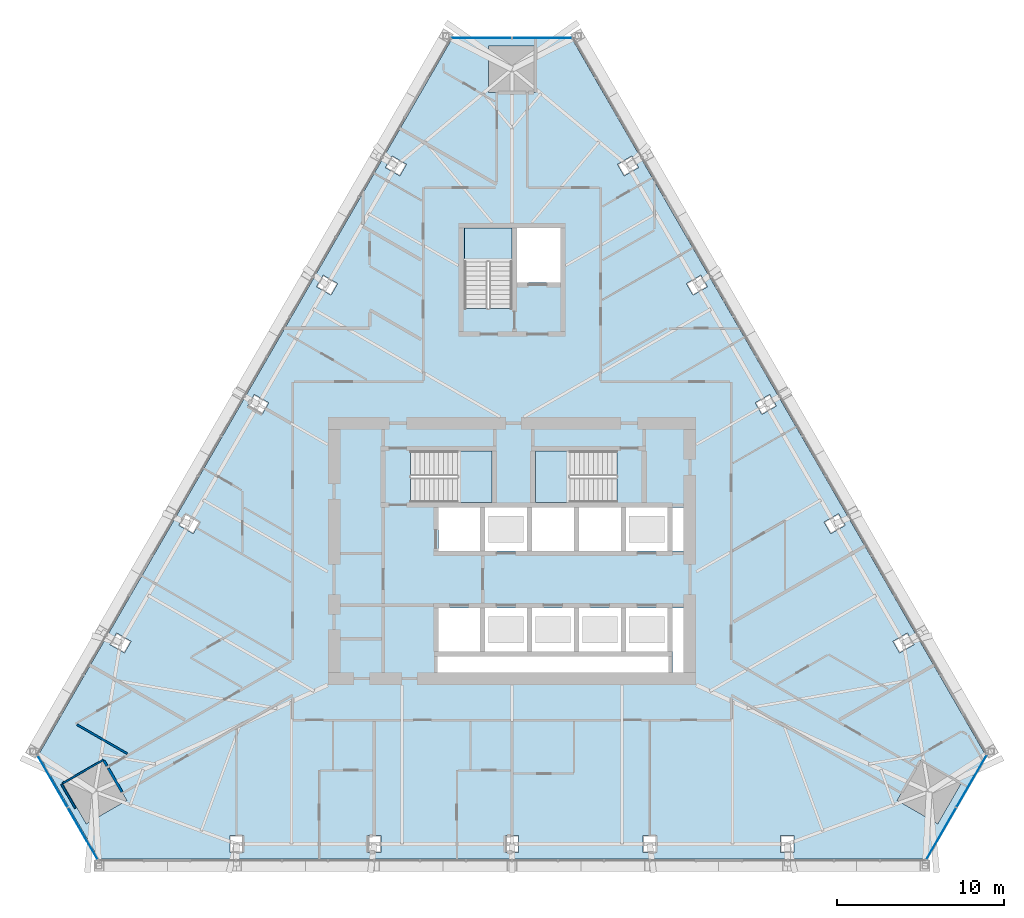
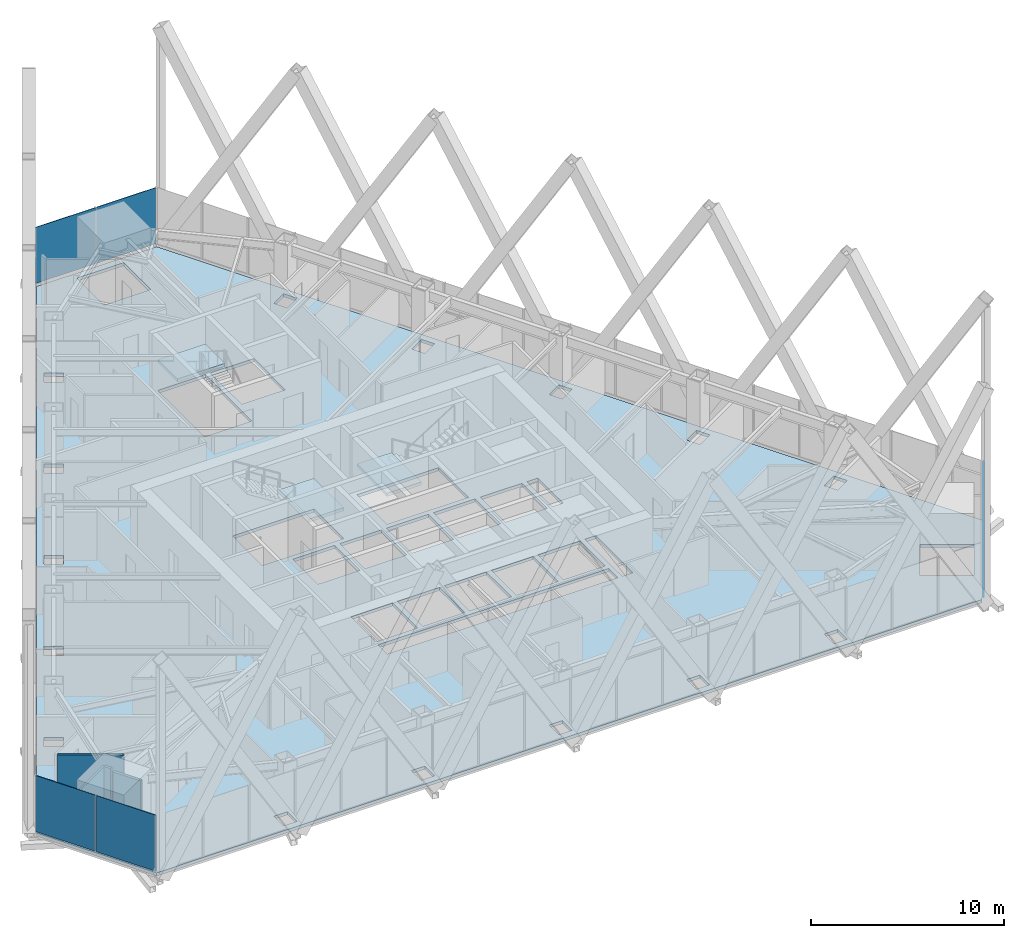
# One storey, part 12 of 19: 6 plates, 5 walls, 4 slabs, 6 elements without a shape of their own.
"""IFC4 building model written with IfcOpenShell, lengths in metres."""

import ifcopenshell
import ifcopenshell.guid

model = None  # the IFC model being written
_history = None  # IfcOwnerHistory: only IFC2X3 demands one
_inside = {}  # id of a spatial element -> (the spatial element, [elements in it])
_under = {}  # id of a project, library or spatial element -> (it, [spatial elements below it])
_declared = {}  # id of a project -> (the project, [libraries it declares])
_typed = {}  # id of a type object -> (the type object, [elements of that type])
_made_of = {}  # id of a material, layer set ... -> (it, [elements and type objects made of it])


def new_model(schema):
    """Start an empty IFC model of exactly this schema.

    Asked for "IFC4X3", IfcOpenShell would pick the latest addendum, in which some entities
    have other attributes; the version numbers below select the first issue.
    IFC2X3 requires an IfcOwnerHistory on every rooted entity: one is made here for all.
    """
    global model, _history
    if schema == "IFC4X3":
        model = ifcopenshell.file(schema_version=(4, 3, 0, 0))
    else:
        model = ifcopenshell.file(schema=schema)
    _inside.clear()
    _under.clear()
    _declared.clear()
    _typed.clear()
    _made_of.clear()
    _history = None
    if model.schema == "IFC2X3":
        org = make("IfcOrganization", Name="unknown")
        user = make(
            "IfcPersonAndOrganization",
            ThePerson=make("IfcPerson", FamilyName="unknown"),
            TheOrganization=org,
        )
        app = make(
            "IfcApplication",
            ApplicationDeveloper=org,
            Version="unknown",
            ApplicationFullName="unknown",
            ApplicationIdentifier="unknown",
        )
        _history = make(
            "IfcOwnerHistory",
            OwningUser=user,
            OwningApplication=app,
            ChangeAction="ADDED",
            CreationDate=0,
        )
    return model


def make(cls, **values):
    """One entity of the class cls with the attributes given. An attribute that is None is left unset."""
    return model.create_entity(
        cls, **{name: value for name, value in values.items() if value is not None}
    )


def rooted(cls, **values):
    """An entity with a GlobalId (a new one), such as an element, a storey or a relation."""
    return make(cls, GlobalId=ifcopenshell.guid.new(), OwnerHistory=_history, **values)


def si_unit(unit_type, name, prefix=None):
    """IfcSIUnit, for example si_unit("LENGTHUNIT", "METRE", prefix="MILLI")."""
    return make("IfcSIUnit", UnitType=unit_type, Prefix=prefix, Name=name)


def assignment(units):
    """IfcUnitAssignment: the units of a project."""
    return None if units is None else make("IfcUnitAssignment", Units=units)


def point(xyz):
    """IfcCartesianPoint."""
    return None if xyz is None else make("IfcCartesianPoint", Coordinates=xyz)


def direction(xyz):
    """IfcDirection."""
    return None if xyz is None else make("IfcDirection", DirectionRatios=xyz)


def frame(location, z_axis=None, x_axis=None):
    """IfcAxis2Placement3D, a coordinate frame: its origin and axes. An axis left out is left unset."""
    return make(
        "IfcAxis2Placement3D",
        Location=point(location),
        Axis=direction(z_axis),
        RefDirection=direction(x_axis),
    )


def frame_2d(location, x_axis=None):
    """IfcAxis2Placement2D, a coordinate frame in the plane: its origin and x axis."""
    return make(
        "IfcAxis2Placement2D", Location=point(location), RefDirection=direction(x_axis)
    )


def origin():
    """The frame at (0, 0, 0) with its axes left unset."""
    return frame((0.0, 0.0, 0.0))


def place(relative_to, where):
    """IfcLocalPlacement: puts the frame where relative to a parent placement (None: the world)."""
    return make(
        "IfcLocalPlacement", PlacementRelTo=relative_to, RelativePlacement=where
    )


def context(
    kind, dimensions, precision=None, world=None, true_north=None, identifier=None
):
    """IfcGeometricRepresentationContext, for example the 3D "Model" context."""
    return make(
        "IfcGeometricRepresentationContext",
        ContextIdentifier=identifier,
        ContextType=kind,
        CoordinateSpaceDimension=dimensions,
        Precision=precision,
        WorldCoordinateSystem=world,
        TrueNorth=true_north,
    )


def subcontext(parent, identifier, kind, view, scale=None):
    """IfcGeometricRepresentationSubContext, for example "Body" below "Model"."""
    return make(
        "IfcGeometricRepresentationSubContext",
        ContextIdentifier=identifier,
        ContextType=kind,
        ParentContext=parent,
        TargetScale=scale,
        TargetView=view,
    )


def project(units=None, contexts=None):
    """IfcProject with its units and contexts."""
    return rooted(
        "IfcProject",
        Name="project",
        RepresentationContexts=contexts,
        UnitsInContext=assignment(units),
    )


def spatial(cls, under=None, at=None, **own):
    """A site, building, storey or space (cls), placed at a placement, below another one or the project."""
    s = rooted(cls, ObjectPlacement=at, **own)
    if under is not None:
        _under.setdefault(under.id(), (under, []))[1].append(s)
    return s


def polyline(points):
    """IfcPolyline through the points."""
    return make("IfcPolyline", Points=[point(p) for p in points])


def profile(cls, at=None, kind="AREA", **sizes):
    """A parametric profile (cls). Its sizes go by their IFC names, for example OverallWidth=200.0."""
    return make(cls, ProfileType=kind, Position=at, **sizes)


def rectangle(**sizes):
    """IfcRectangleProfileDef."""
    return profile("IfcRectangleProfileDef", **sizes)


def outline(outer, holes=None, kind="AREA"):
    """IfcArbitraryClosedProfileDef: a profile drawn as a closed curve; with holes, ...WithVoids."""
    if holes is None:
        return make("IfcArbitraryClosedProfileDef", ProfileType=kind, OuterCurve=outer)
    return make(
        "IfcArbitraryProfileDefWithVoids",
        ProfileType=kind,
        OuterCurve=outer,
        InnerCurves=holes,
    )


def extrude(swept, where, along, depth):
    """IfcExtrudedAreaSolid: the profile swept, set in the frame where, extruded along a direction by depth."""
    return make(
        "IfcExtrudedAreaSolid",
        SweptArea=swept,
        Position=where,
        ExtrudedDirection=direction(along),
        Depth=depth,
    )


def shape(context_of_items, identifier, shape_type, items):
    """IfcShapeRepresentation: the items that make up one representation, for example the "Body"."""
    return make(
        "IfcShapeRepresentation",
        ContextOfItems=context_of_items,
        RepresentationIdentifier=identifier,
        RepresentationType=shape_type,
        Items=items,
    )


def material(Name=None, Category=None):
    """IfcMaterial."""
    return make("IfcMaterial", Name=Name, Category=Category)


def layer(
    of_material, thickness, ventilated=None, Name=None, Category=None, Priority=None
):
    """IfcMaterialLayer: one layer of a wall or slab, of a material (None: an air gap)."""
    return make(
        "IfcMaterialLayer",
        Material=of_material,
        LayerThickness=thickness,
        IsVentilated=ventilated,
        Name=Name,
        Category=Category,
        Priority=Priority,
    )


def layer_set(layers, Name=None):
    """IfcMaterialLayerSet."""
    return make("IfcMaterialLayerSet", MaterialLayers=layers, LayerSetName=Name)


def made_of(thing, what):
    """Note that an element or type object is made of a material, layer set ...; save() writes the relation."""
    if what is not None:
        _made_of.setdefault(what.id(), (what, []))[1].append(thing)
    return thing


def type_object(cls, material=None, **own):
    """A type object (cls), such as IfcWallType, which elements share."""
    return made_of(rooted(cls, **own), material)


def element(
    cls,
    number,
    at=None,
    inside=None,
    cuts=None,
    type_object=None,
    material=None,
    context=None,
    identifier="Body",
    shape_type=None,
    held_by="IfcProductDefinitionShape",
    body=None,
    shapes=None,
    **own,
):
    """One element of the class cls, such as IfcWall. Its Tag is "e" and its number.

    at: its placement. inside: the storey or other place that contains it. cuts: it is an
    opening in that element (IfcRelVoidsElement). A single representation is given by context,
    identifier, shape_type and body (its items); several are given by shapes. held_by: the class
    of the entity that holds the representations. save() writes the other relations.
    """
    e = rooted(cls, Tag="e%d" % number, ObjectPlacement=at, **own)
    if body is not None:
        shapes = [shape(context, identifier, shape_type, body)]
    if shapes is not None:
        e.Representation = make(held_by, Representations=shapes)
    if inside is not None:
        _inside.setdefault(inside.id(), (inside, []))[1].append(e)
    if cuts is not None:
        rooted(
            "IfcRelVoidsElement", RelatingBuildingElement=cuts, RelatedOpeningElement=e
        )
    if type_object is not None:
        _typed.setdefault(type_object.id(), (type_object, []))[1].append(e)
    return made_of(e, material)


def aggregate(whole, parts):
    """IfcRelAggregates: a whole, such as a stair, and the parts it consists of."""
    return rooted("IfcRelAggregates", RelatingObject=whole, RelatedObjects=parts)


def save(model, path):
    """Write the relations noted so far, then the file.

    IfcRelAggregates (storeys below a building ...), IfcRelContainedInSpatialStructure (elements
    in a storey), IfcRelDefinesByType, IfcRelAssociatesMaterial and IfcRelDeclares: one each for
    every whole, place, type object, material and project.
    """
    for whole, parts in _under.values():
        aggregate(whole, parts)
    for where, things in _inside.values():
        rooted(
            "IfcRelContainedInSpatialStructure",
            RelatedElements=things,
            RelatingStructure=where,
        )
    for kind, things in _typed.values():
        rooted("IfcRelDefinesByType", RelatedObjects=things, RelatingType=kind)
    for what, things in _made_of.values():
        rooted("IfcRelAssociatesMaterial", RelatedObjects=things, RelatingMaterial=what)
    for by, libraries in _declared.values():
        rooted("IfcRelDeclares", RelatingContext=by, RelatedDefinitions=libraries)
    model.write(path)


model = new_model("IFC4")

# Units and contexts
model_context = context("Model", 3, precision=1e-05, world=origin(), true_north=direction((0.0, 1.0)))
body_context = subcontext(model_context, "Body", "Model", "MODEL_VIEW")
ifc_project = project(units=[si_unit("LENGTHUNIT", "METRE"), si_unit("AREAUNIT", "SQUARE_METRE"), si_unit("VOLUMEUNIT", "CUBIC_METRE"), si_unit("PLANEANGLEUNIT", "RADIAN"), si_unit("MASSUNIT", "GRAM", prefix="KILO")], contexts=[model_context])

# Site, building, storey
site_placement = place(None, origin())
site = spatial("IfcSite", under=ifc_project, at=site_placement, CompositionType="ELEMENT")
building_placement = place(site_placement, origin())
building = spatial("IfcBuilding", under=site, at=building_placement, Name="Firuza Gate Tower and Library", CompositionType="ELEMENT")
storey_placement = place(building_placement, frame((0.0, 0.0, 233.800048828125)))
storey = spatial("IfcBuildingStorey", under=building, at=storey_placement, Name="L55", CompositionType="ELEMENT", Elevation=233.800048828125)

# Slab
ifc_material_1 = material(Name="Concrete C40/50", Category="concrete")
ifc_layer_1 = layer(ifc_material_1, 0.199951171875)
ifc_layer_set_1 = layer_set([ifc_layer_1], Name="Composite floor slab 200 C40/50")
slab_type_1 = type_object("IfcSlabType", Name="Composite floor slab 200 C40/50", PredefinedType="FLOOR", material=ifc_layer_set_1)
slab_1_placement = place(storey_placement, frame((0.0, 0.0, -0.199951171875)))
element("IfcSlab", 1, at=slab_1_placement, inside=storey, type_object=slab_type_1, Name="Floor slab L55", PredefinedType="FLOOR", context=body_context, shape_type="SweptSolid", body=[
    extrude(outline(polyline([(46.723388671875, 62.831298828125), (50.323486328125, 56.595947265625), (99.676513671875, 56.595947265625), (103.276611328125, 62.831298828125), (78.60009765625, 105.572509765625), (71.39990234375, 105.572509765625), (46.723388671875, 62.831298828125)]), holes=[polyline([(58.14892578125, 56.99609375), (58.14892578125, 57.99609375), (58.948974609375, 57.99609375), (58.948974609375, 56.99609375), (58.14892578125, 56.99609375)]), polyline([(74.60009765625, 56.99609375), (74.60009765625, 57.99609375), (75.39990234375, 57.99609375), (75.39990234375, 56.99609375), (74.60009765625, 56.99609375)]), polyline([(66.37451171875, 56.99609375), (66.37451171875, 57.99609375), (67.174560546875, 57.99609375), (67.174560546875, 56.99609375), (66.37451171875, 56.99609375)]), polyline([(48.169677734375, 61.126220703125), (50.5947265625, 62.526123046875), (51.99462890625, 60.101318359375), (49.56982421875, 58.701171875), (48.169677734375, 61.126220703125)]), polyline([(84.35009765625, 67.75), (70.550048828125, 67.75), (70.550048828125, 68.699951171875), (84.35009765625, 68.699951171875), (84.35009765625, 67.75)]), polyline([(51.382568359375, 70.101318359375), (52.24853515625, 69.601318359375), (51.8486328125, 68.908447265625), (50.982666015625, 69.408447265625), (51.382568359375, 70.101318359375)]), polyline([(73.10009765625, 69.0), (70.60009765625, 69.0), (70.60009765625, 71.60009765625), (73.10009765625, 71.60009765625), (73.10009765625, 69.0)]), polyline([(75.89990234375, 69.0), (73.39990234375, 69.0), (73.39990234375, 71.60009765625), (75.89990234375, 71.60009765625), (75.89990234375, 69.0)]), polyline([(73.10009765625, 75.0), (70.60009765625, 75.0), (70.60009765625, 77.60009765625), (73.10009765625, 77.60009765625), (73.10009765625, 75.0)]), polyline([(75.89990234375, 75.0), (73.39990234375, 75.0), (73.39990234375, 77.60009765625), (75.89990234375, 77.60009765625), (75.89990234375, 75.0)]), polyline([(55.495361328125, 77.224853515625), (56.361328125, 76.724853515625), (55.96142578125, 76.031982421875), (55.09521484375, 76.531982421875), (55.495361328125, 77.224853515625)]), polyline([(73.81005859375, 77.89990234375), (68.9404296875, 77.89990234375), (68.9404296875, 80.97998046875), (73.81005859375, 80.97998046875), (73.81005859375, 77.89990234375)]), polyline([(59.608154296875, 84.348388671875), (60.47412109375, 83.848388671875), (60.07421875, 83.155517578125), (59.2080078125, 83.655517578125), (59.608154296875, 84.348388671875)]), polyline([(63.720947265625, 91.471923828125), (64.5869140625, 90.971923828125), (64.18701171875, 90.279052734375), (63.32080078125, 90.779052734375), (63.720947265625, 91.471923828125)]), polyline([(72.159912109375, 89.470458984375), (72.159912109375, 94.300048828125), (75.0, 94.300048828125), (75.0, 89.470458984375), (72.159912109375, 89.470458984375)]), polyline([(75.300048828125, 91.050048828125), (75.300048828125, 94.300048828125), (77.89990234375, 94.300048828125), (77.89990234375, 91.050048828125), (75.300048828125, 91.050048828125)]), polyline([(68.69970703125, 98.095458984375), (68.299560546875, 97.402587890625), (67.43359375, 97.902587890625), (67.833740234375, 98.595458984375), (68.69970703125, 98.095458984375)]), polyline([(76.39990234375, 105.172607421875), (76.39990234375, 102.37255859375), (73.60009765625, 102.37255859375), (73.60009765625, 105.172607421875), (76.39990234375, 105.172607421875)]), polyline([(91.051025390625, 56.99609375), (91.051025390625, 57.99609375), (91.85107421875, 57.99609375), (91.85107421875, 56.99609375), (91.051025390625, 56.99609375)]), polyline([(82.825439453125, 56.99609375), (82.825439453125, 57.99609375), (83.62548828125, 57.99609375), (83.62548828125, 56.99609375), (82.825439453125, 56.99609375)]), polyline([(100.43017578125, 58.701171875), (98.00537109375, 60.101318359375), (99.4052734375, 62.526123046875), (101.830322265625, 61.126220703125), (100.43017578125, 58.701171875)]), polyline([(99.017333984375, 69.408447265625), (98.1513671875, 68.908447265625), (97.75146484375, 69.601318359375), (98.617431640625, 70.101318359375), (99.017333984375, 69.408447265625)]), polyline([(85.25, 67.75), (84.60009765625, 67.75), (84.60009765625, 71.60009765625), (85.25, 71.60009765625), (85.25, 67.75)]), polyline([(81.5, 69.0), (79.0, 69.0), (79.0, 71.60009765625), (81.5, 71.60009765625), (81.5, 69.0)]), polyline([(81.800048828125, 69.0), (81.800048828125, 71.60009765625), (84.300048828125, 71.60009765625), (84.300048828125, 69.0), (81.800048828125, 69.0)]), polyline([(76.199951171875, 69.0), (76.199951171875, 71.60009765625), (78.699951171875, 71.60009765625), (78.699951171875, 69.0), (76.199951171875, 69.0)]), polyline([(81.5, 75.0), (79.0, 75.0), (79.0, 77.60009765625), (81.5, 77.60009765625), (81.5, 75.0)]), polyline([(84.300048828125, 75.0), (81.800048828125, 75.0), (81.800048828125, 77.60009765625), (84.300048828125, 77.60009765625), (84.300048828125, 75.0)]), polyline([(85.25, 75.0), (84.60009765625, 75.0), (84.60009765625, 77.60009765625), (85.25, 77.60009765625), (85.25, 75.0)]), polyline([(78.699951171875, 75.0), (76.199951171875, 75.0), (76.199951171875, 77.60009765625), (78.699951171875, 77.60009765625), (78.699951171875, 75.0)]), polyline([(94.90478515625, 76.531982421875), (94.03857421875, 76.031982421875), (93.638671875, 76.724853515625), (94.504638671875, 77.224853515625), (94.90478515625, 76.531982421875)]), polyline([(81.259521484375, 77.89990234375), (76.389892578125, 77.89990234375), (76.389892578125, 80.97998046875), (81.259521484375, 80.97998046875), (81.259521484375, 77.89990234375)]), polyline([(90.7919921875, 83.655517578125), (89.92578125, 83.155517578125), (89.52587890625, 83.848388671875), (90.391845703125, 84.348388671875), (90.7919921875, 83.655517578125)]), polyline([(85.81298828125, 90.279052734375), (85.4130859375, 90.971923828125), (86.279052734375, 91.471923828125), (86.67919921875, 90.779052734375), (85.81298828125, 90.279052734375)]), polyline([(81.700439453125, 97.402587890625), (81.30029296875, 98.095458984375), (82.166259765625, 98.595458984375), (82.56640625, 97.902587890625), (81.700439453125, 97.402587890625)])]), origin(), (0.0, 0.0, 1.0), 0.199951171875),
])

# Curtain wall, plates
ifc_material_2 = material(Name="Aluminium 6063-T6", Category="aluminium")
ifc_layer_2 = layer(ifc_material_2, 0.14990234375)
ifc_layer_set_2 = layer_set([ifc_layer_2], Name="Corner curtain wall, chamfers")
curtain_wall_type = type_object("IfcCurtainWallType", Name="Corner curtain wall, chamfers", PredefinedType="NOTDEFINED", material=ifc_layer_set_2)
placement_1 = place(storey_placement, origin())
curtain_wall_1 = element("IfcCurtainWall", 2, at=placement_1, inside=storey, type_object=curtain_wall_type, Name="CW4 L55 SE corner", PredefinedType="NOTDEFINED")
ifc_material_3 = material(Name="Fritted glass", Category="glass")
ifc_layer_3 = layer(ifc_material_3, 0.030029296875)
ifc_layer_set_3 = layer_set([ifc_layer_3], Name="Fritted glass unit, corners")
plate_type = type_object("IfcPlateType", Name="Fritted glass unit, corners", PredefinedType="CURTAIN_PANEL", material=ifc_layer_set_3)
plate_1_placement = place(storey_placement, frame((99.7529296875, 56.548095703125, 0.14990234375), z_axis=(0.866016723041, -0.500015035186, 0.0), x_axis=(0.500015035186, 0.866016723041, 0.0)))
plate_1 = element("IfcPlate", 3, at=plate_1_placement, type_object=plate_type, Name="Glass unit", PredefinedType="CURTAIN_PANEL", context=body_context, shape_type="SweptSolid", body=[
    extrude(outline(polyline([(0.0, 0.0), (3.5633694106530625, 0.0), (3.5633694106530625, 3.550048828125), (0.0, 3.550048828125), (0.0, 0.0)])), origin(), (0.0, 0.0, -1.0), 0.030029296875),
])
plate_2_placement = place(storey_placement, frame((101.574462890625, 59.703369140625, 0.14990234375), z_axis=(0.866016723041, -0.500015035186, 0.0), x_axis=(0.500015035186, 0.866016723041, 0.0)))
plate_2 = element("IfcPlate", 4, at=plate_2_placement, type_object=plate_type, Name="Glass unit", PredefinedType="CURTAIN_PANEL", context=body_context, shape_type="SweptSolid", body=[
    extrude(outline(polyline([(0.0, 0.0), (3.5633694106530625, 0.0), (3.5633694106530625, 3.550048828125), (0.0, 3.550048828125), (0.0, 0.0)])), origin(), (0.0, 0.0, -1.0), 0.030029296875),
])
aggregate(curtain_wall_1, [plate_1, plate_2])

curtain_wall_2 = element("IfcCurtainWall", 5, at=placement_1, inside=storey, type_object=curtain_wall_type, Name="CW4 L55 N corner", PredefinedType="NOTDEFINED")
plate_3_placement = place(storey_placement, frame((78.603271484375, 105.66259765625, 0.14990234375), z_axis=(0.0, 1.0, 0.0), x_axis=(-1.0, 0.0, 0.0)))
plate_3 = element("IfcPlate", 6, at=plate_3_placement, type_object=plate_type, Name="Glass unit", PredefinedType="CURTAIN_PANEL", context=body_context, shape_type="SweptSolid", body=[
    extrude(outline(polyline([(0.0, 0.0), (3.563232421875, 0.0), (3.563232421875, 3.550048828125), (0.0, 3.550048828125), (0.0, 0.0)])), origin(), (0.0, 0.0, -1.0), 0.030029296875),
])
plate_4_placement = place(storey_placement, frame((74.9599609375, 105.66259765625, 0.14990234375), z_axis=(0.0, 1.0, 0.0), x_axis=(-1.0, 0.0, 0.0)))
plate_4 = element("IfcPlate", 7, at=plate_4_placement, type_object=plate_type, Name="Glass unit", PredefinedType="CURTAIN_PANEL", context=body_context, shape_type="SweptSolid", body=[
    extrude(outline(polyline([(0.0, 0.0), (3.563232421875, 0.0), (3.563232421875, 3.550048828125), (0.0, 3.550048828125), (0.0, 0.0)])), origin(), (0.0, 0.0, -1.0), 0.030029296875),
])
aggregate(curtain_wall_2, [plate_3, plate_4])

curtain_wall_3 = element("IfcCurtainWall", 8, at=placement_1, inside=storey, type_object=curtain_wall_type, Name="CW4 L55 SW corner", PredefinedType="NOTDEFINED")
plate_5_placement = place(storey_placement, frame((46.643798828125, 62.789306640625, 0.14990234375), z_axis=(-0.866016723041, -0.500015035186, 0.0), x_axis=(0.500015035186, -0.866016723041, 0.0)))
plate_5 = element("IfcPlate", 9, at=plate_5_placement, type_object=plate_type, Name="Glass unit", PredefinedType="CURTAIN_PANEL", context=body_context, shape_type="SweptSolid", body=[
    extrude(outline(polyline([(0.0, 0.0), (3.5633694106530625, 0.0), (3.5633694106530625, 3.550048828125), (0.0, 3.550048828125), (0.0, 0.0)])), origin(), (0.0, 0.0, -1.0), 0.030029296875),
])
plate_6_placement = place(storey_placement, frame((48.46533203125, 59.634033203125, 0.14990234375), z_axis=(-0.866016723041, -0.500015035186, 0.0), x_axis=(0.500015035186, -0.866016723041, 0.0)))
plate_6 = element("IfcPlate", 10, at=plate_6_placement, type_object=plate_type, Name="Glass unit", PredefinedType="CURTAIN_PANEL", context=body_context, shape_type="SweptSolid", body=[
    extrude(outline(polyline([(0.0, 0.0), (3.5633694106530625, 0.0), (3.5633694106530625, 3.550048828125), (0.0, 3.550048828125), (0.0, 0.0)])), origin(), (0.0, 0.0, -1.0), 0.030029296875),
])
aggregate(curtain_wall_3, [plate_5, plate_6])

# Stair, slab
ifc_material_4 = material(Name="Concrete C35/45", Category="concrete")
stair_type_1 = type_object("IfcStairType", Name="Exit stair ST7", PredefinedType="HALF_TURN_STAIR", material=ifc_material_4)
stair_1 = element("IfcStair", 11, at=placement_1, inside=storey, type_object=stair_type_1, Name="L55 Stair ST1", PredefinedType="HALF_TURN_STAIR")
ifc_material_5 = material(Name="Concrete C35/45", Category="concrete")
ifc_layer_4 = layer(ifc_material_5, 0.199951171875)
ifc_layer_set_4 = layer_set([ifc_layer_4], Name="Stair landing 200")
slab_type_2 = type_object("IfcSlabType", Name="Stair landing 200", PredefinedType="LANDING", material=ifc_layer_set_4)
placement_2 = place(storey_placement, frame((0.0, 0.0, 1.75)))
slab_2 = element("IfcSlab", 12, at=placement_2, type_object=slab_type_2, Name="ST1 landing 1", PredefinedType="LANDING", context=body_context, shape_type="SweptSolid", body=[
    extrude(outline(polyline([(71.739990234375, 77.89990234375), (73.81005859375, 77.89990234375), (73.81005859375, 80.97998046875), (71.739990234375, 80.97998046875), (71.739990234375, 77.89990234375)])), origin(), (0.0, 0.0, 1.0), 0.199951171875),
])
aggregate(stair_1, [slab_2])

stair_2 = element("IfcStair", 13, at=placement_1, inside=storey, type_object=stair_type_1, Name="L55 Stair ST2", PredefinedType="HALF_TURN_STAIR")
slab_3 = element("IfcSlab", 14, at=placement_2, type_object=slab_type_2, Name="ST2 landing 1", PredefinedType="LANDING", context=body_context, shape_type="SweptSolid", body=[
    extrude(outline(polyline([(78.4599609375, 80.97998046875), (76.389892578125, 80.97998046875), (76.389892578125, 77.89990234375), (78.4599609375, 77.89990234375), (78.4599609375, 80.97998046875)])), origin(), (0.0, 0.0, 1.0), 0.199951171875),
])
aggregate(stair_2, [slab_3])

ifc_material_6 = material(Name="Concrete C35/45", Category="concrete")
stair_type_2 = type_object("IfcStairType", Name="Exit stair ST16", PredefinedType="HALF_TURN_STAIR", material=ifc_material_6)
stair_3 = element("IfcStair", 15, at=placement_1, inside=storey, type_object=stair_type_2, Name="L55 Stair ST3", PredefinedType="HALF_TURN_STAIR")
slab_4 = element("IfcSlab", 16, at=placement_2, type_object=slab_type_2, Name="ST3 landing 1", PredefinedType="LANDING", context=body_context, shape_type="SweptSolid", body=[
    extrude(outline(polyline([(75.0, 92.27001953125), (75.0, 94.300048828125), (72.159912109375, 94.300048828125), (72.159912109375, 92.27001953125), (75.0, 92.27001953125)])), origin(), (0.0, 0.0, 1.0), 0.199951171875),
])
aggregate(stair_3, [slab_4])

# Walls
ifc_material_7 = material(Name="Gypsum board partition")
ifc_layer_5 = layer(ifc_material_7, 0.14990234375)
ifc_layer_set_5 = layer_set([ifc_layer_5], Name="Corridor wall 150 double board on steel studs")
wall_type_1 = type_object("IfcWallType", Name="Corridor wall 150 double board on steel studs", PredefinedType="PARTITIONING", material=ifc_layer_set_5)
wall_1_placement = place(storey_placement, frame((51.70654296875, 60.599609375, 0.0), z_axis=(0.0, 0.0, 1.0), x_axis=(-0.499991515992, 0.866030301974, 0.0)))
element("IfcWall", 17, at=wall_1_placement, inside=storey, type_object=wall_type_1, Name="f:L55:w071", PredefinedType="PARTITIONING", context=body_context, shape_type="SweptSolid", body=[
    extrude(rectangle(XDim=1.6494140625, YDim=0.14990234375, at=frame_2d((0.82470703125, 0.0))), origin(), (0.0, 0.0, 1.0), 2.947021484375),
])
wall_2_placement = place(storey_placement, frame((50.806884765625, 62.157958984375, 0.0), z_axis=(0.0, 0.0, 1.0), x_axis=(-0.500060622324, 0.86599040064, 0.0)))
element("IfcWall", 18, at=wall_2_placement, inside=storey, type_object=wall_type_1, Name="f:L55:w096", PredefinedType="PARTITIONING", context=body_context, shape_type="SweptSolid", body=[
    extrude(rectangle(XDim=0.375, YDim=0.14990234375, at=frame_2d((0.1875, 0.0))), origin(), (0.0, 0.0, 1.0), 3.099853515625),
])
ifc_material_8 = material(Name="Gypsum board partition")
ifc_layer_6 = layer(ifc_material_8, 0.10009765625)
ifc_layer_set_6 = layer_set([ifc_layer_6], Name="Partition 100 gypsum board on steel studs")
wall_type_2 = type_object("IfcWallType", Name="Partition 100 gypsum board on steel studs", PredefinedType="PARTITIONING", material=ifc_layer_set_6)
wall_3_placement = place(storey_placement, frame((48.169677734375, 61.126220703125, 0.0), z_axis=(0.0, 0.0, 1.0), x_axis=(0.866034573852, 0.49998411664, 0.0)))
element("IfcWall", 19, at=wall_3_placement, inside=storey, type_object=wall_type_2, Name="f:L55:w027", PredefinedType="PARTITIONING", context=body_context, shape_type="SweptSolid", body=[
    extrude(rectangle(XDim=2.7998046875, YDim=0.10009765625, at=frame_2d((1.39990234375, 0.0))), origin(), (0.0, 0.0, 1.0), 3.099853515625),
])
wall_4_placement = place(storey_placement, frame((48.91796875, 59.629638671875, 0.0), z_axis=(0.0, 0.0, 1.0), x_axis=(-0.500029155639, 0.866008570114, 0.0)))
element("IfcWall", 20, at=wall_4_placement, inside=storey, type_object=wall_type_2, Name="f:L55:w072", PredefinedType="PARTITIONING", context=body_context, shape_type="SweptSolid", body=[
    extrude(rectangle(XDim=1.65380859375, YDim=0.10009765625, at=frame_2d((0.826904296875, 0.0))), origin(), (0.0, 0.0, 1.0), 3.099853515625),
])
ifc_material_9 = material(Name="Gypsum board partition")
ifc_layer_7 = layer(ifc_material_9, 0.1201171875)
ifc_layer_set_7 = layer_set([ifc_layer_7], Name="Wet-area partition 120 moisture-resistant board")
wall_type_3 = type_object("IfcWallType", Name="Wet-area partition 120 moisture-resistant board", PredefinedType="PARTITIONING", material=ifc_layer_set_7)
wall_5_placement = place(storey_placement, frame((52.013671875, 62.89453125, 0.0), z_axis=(0.0, 0.0, 1.0), x_axis=(-0.866045730533, 0.499964791386, 0.0)))
element("IfcWall", 21, at=wall_5_placement, inside=storey, type_object=wall_type_3, Name="f:L55:w094", PredefinedType="PARTITIONING", context=body_context, shape_type="SweptSolid", body=[
    extrude(rectangle(XDim=3.459228515625, YDim=0.1201171875, at=frame_2d((1.7294921875, 0.0))), origin(), (0.0, 0.0, 1.0), 3.099853515625),
])

save(model, "model.ifc")
